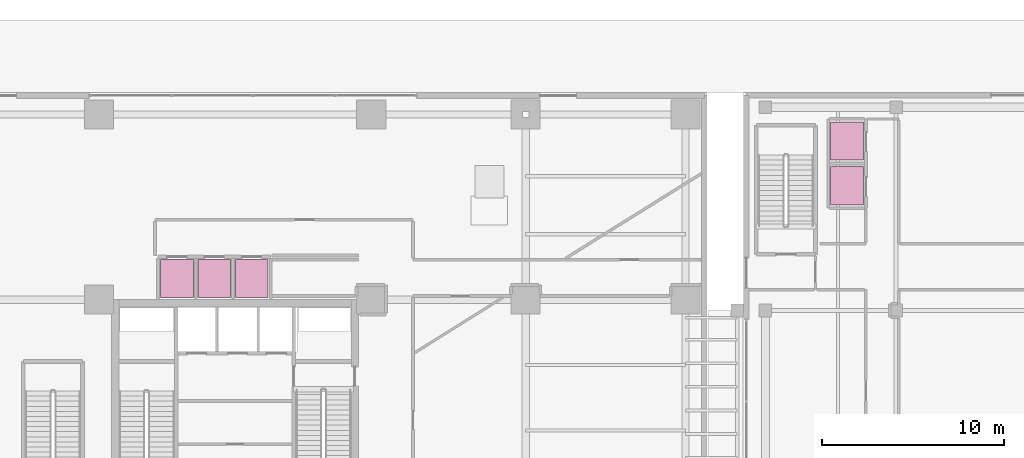
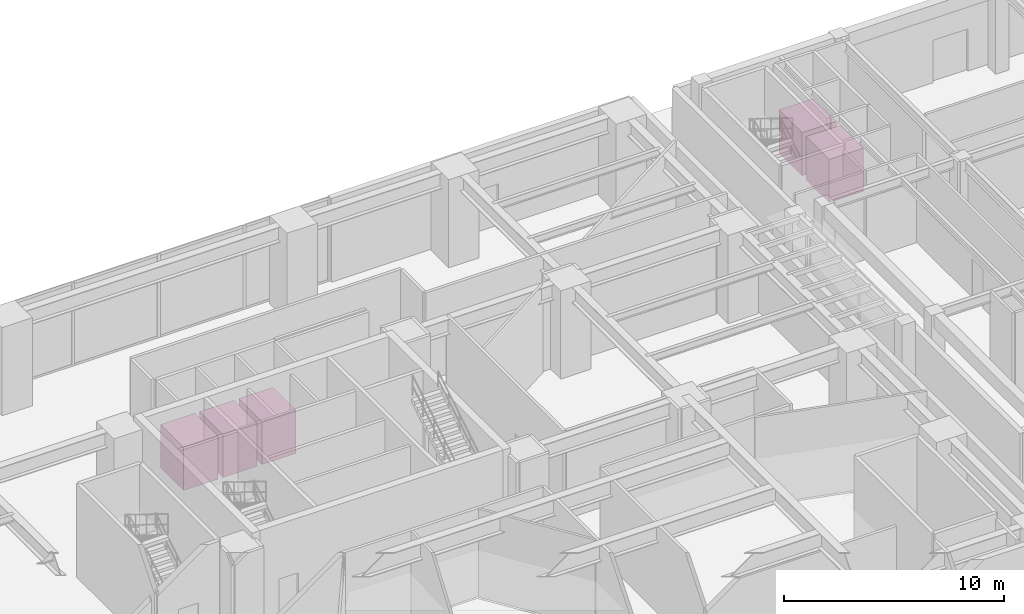
# One storey, part 28 of 28: 5 transport elements.
"""IFC4 building model written with IfcOpenShell, lengths in metres."""

from ifc_helpers import new_model, si_unit, direction, frame, origin, origin_2d, place, context, subcontext, project, spatial, rectangle, extrude, source, transform, mapped, material, type_object, type_shapes, element, save


model = new_model("IFC4")

# Units and contexts
model_context = context("Model", 3, precision=1e-05, world=origin(), true_north=direction((0.0, 1.0)))
body_context = subcontext(model_context, "Body", "Model", "MODEL_VIEW")
ifc_project = project(units=[si_unit("LENGTHUNIT", "METRE"), si_unit("AREAUNIT", "SQUARE_METRE"), si_unit("VOLUMEUNIT", "CUBIC_METRE"), si_unit("PLANEANGLEUNIT", "RADIAN"), si_unit("MASSUNIT", "GRAM", prefix="KILO")], contexts=[model_context])

# Site, building, storey
site_placement = place(None, origin())
site = spatial("IfcSite", under=ifc_project, at=site_placement, CompositionType="ELEMENT")
building_placement = place(site_placement, origin())
building = spatial("IfcBuilding", under=site, at=building_placement, Name="Talar Marvaseh", CompositionType="ELEMENT")
storey_placement = place(building_placement, origin())
storey = spatial("IfcBuildingStorey", under=building, at=storey_placement, Name="L00", CompositionType="ELEMENT", Elevation=0.0)

# Transport elements
ifc_material = material(Name="Stainless Steel Grade 316", Category="steel")
transport_element_type_1 = type_object("IfcTransportElementType", Name="Zoned High-Speed Passenger Elevator 1600kg", PredefinedType="ELEVATOR", material=ifc_material)
shared_shape_1 = source(origin(), body_context, "Body", "SweptSolid", [
    extrude(rectangle(XDim=1.800048828125, YDim=2.10009765625, at=origin_2d()), origin(), (0.0, 0.0, 1.0), 2.39990234375),
])
type_shapes(transport_element_type_1, [shared_shape_1])
for number, where, z_axis, x_axis, name in (
    (1, (22.800048828125, 37.77001953125, 0.0), (0.0, 0.0, 1.0), (1.0, 0.0, 0.0), "PL-L1 Elevator Car"),
    (2, (24.860107421875, 37.77001953125, 0.0), (0.0, 0.0, 1.0), (1.0, 0.0, 0.0), "PL-L2 Elevator Car"),
    (3, (26.919921875, 37.77001953125, 0.0), (0.0, 0.0, 1.0), (1.0, 0.0, 0.0), "PL-L3 Elevator Car"),
):
    element("IfcTransportElement", number, at=place(storey_placement, frame(where, z_axis=z_axis, x_axis=x_axis)), inside=storey, type_object=transport_element_type_1, Name=name, PredefinedType="ELEVATOR", context=body_context, shape_type="MappedRepresentation", body=[
        mapped(shared_shape_1, transform((0.0, 0.0, 0.0), x_axis=(1.0, 0.0, 0.0), y_axis=(0.0, 1.0, 0.0), z_axis=(0.0, 0.0, 1.0), scale=1.0)),
    ])
transport_element_type_2 = type_object("IfcTransportElementType", Name="Market Hall Public Passenger Elevator 1600kg", PredefinedType="ELEVATOR", material=ifc_material)
shared_shape_2 = source(origin(), body_context, "Body", "SweptSolid", [
    extrude(rectangle(XDim=1.800048828125, YDim=2.10009765625, at=origin_2d()), origin(), (0.0, 0.0, 1.0), 2.39990234375),
])
type_shapes(transport_element_type_2, [shared_shape_2])
for number, where, z_axis, x_axis, name in (
    (4, (59.699951171875, 45.330078125, 0.0), (0.0, 0.0, 1.0), (1.0, 0.0, 0.0), "MH-EL1 Elevator Car"),
    (5, (59.699951171875, 42.8701171875, 0.0), (0.0, 0.0, 1.0), (1.0, 0.0, 0.0), "MH-EL2 Elevator Car"),
):
    element("IfcTransportElement", number, at=place(storey_placement, frame(where, z_axis=z_axis, x_axis=x_axis)), inside=storey, type_object=transport_element_type_2, Name=name, PredefinedType="ELEVATOR", context=body_context, shape_type="MappedRepresentation", body=[
        mapped(shared_shape_2, transform((0.0, 0.0, 0.0), x_axis=(1.0, 0.0, 0.0), y_axis=(0.0, 1.0, 0.0), z_axis=(0.0, 0.0, 1.0), scale=1.0)),
    ])

save(model, "model.ifc")
